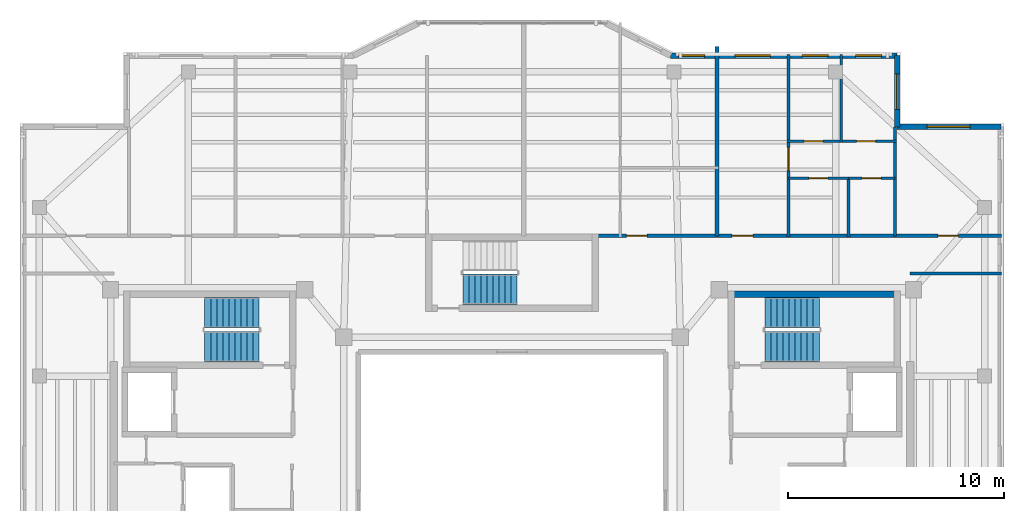
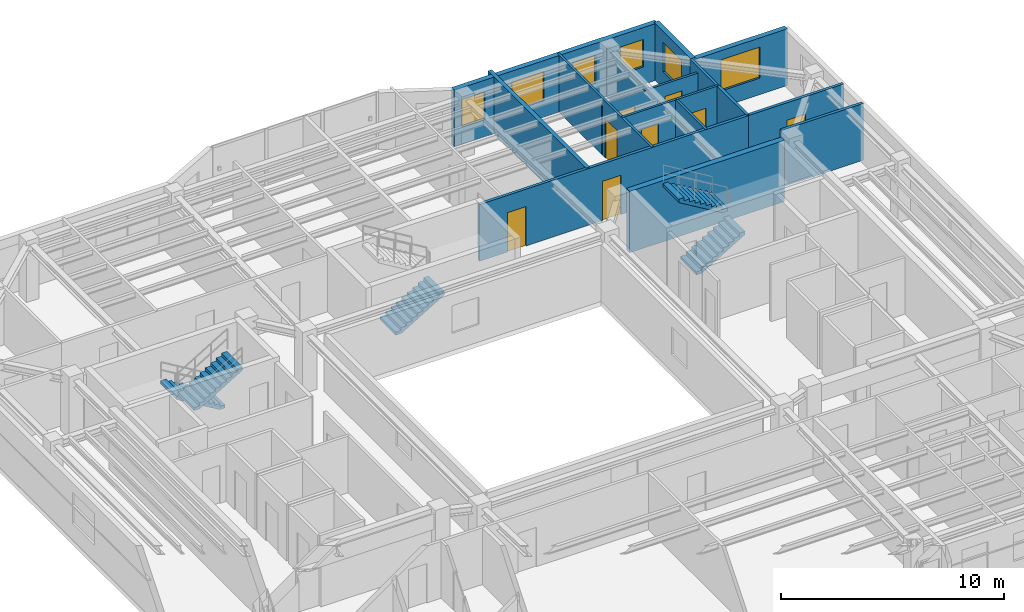
# One storey, part 10 of 14: 15 walls, 8 doors, 6 windows, 5 stair flights, 14 openings, 3 elements without a shape of their own.
"""IFC4 building model written with IfcOpenShell, lengths in metres."""

from ifc_helpers import new_model, si_unit, direction, frame, frame_2d, origin, place, context, subcontext, project, spatial, polyline, rectangle, outline, extrude, material, layer, layer_set, type_object, element, fill, aggregate, save


model = new_model("IFC4")

# Units and contexts
model_context = context("Model", 3, precision=1e-05, world=origin(), true_north=direction((0.0, 1.0)))
body_context = subcontext(model_context, "Body", "Model", "MODEL_VIEW")
ifc_project = project(units=[si_unit("LENGTHUNIT", "METRE"), si_unit("AREAUNIT", "SQUARE_METRE"), si_unit("VOLUMEUNIT", "CUBIC_METRE"), si_unit("PLANEANGLEUNIT", "RADIAN"), si_unit("MASSUNIT", "GRAM", prefix="KILO")], contexts=[model_context])

# Site, building, storey
site_placement = place(None, origin())
site = spatial("IfcSite", under=ifc_project, at=site_placement, CompositionType="ELEMENT")
building_placement = place(site_placement, origin())
building = spatial("IfcBuilding", under=site, at=building_placement, Name="Tarnavaz Court Tower", CompositionType="ELEMENT")
storey_placement = place(building_placement, frame((0.0, 0.0, 258.25)))
storey = spatial("IfcBuildingStorey", under=building, at=storey_placement, Name="L70", CompositionType="ELEMENT", Elevation=258.25)

# Wall
ifc_material_1 = material(Name="Concrete C50/60", Category="concrete")
ifc_layer_1 = layer(ifc_material_1, 0.300048828125)
ifc_layer_set_1 = layer_set([ifc_layer_1], Name="Concrete C50/60")
wall_type_1 = type_object("IfcWallType", Name="WL-CORE-300-C50", PredefinedType="SHEAR", material=ifc_layer_set_1)
wall_1_placement = place(storey_placement, frame((10.0, 9.7900390625, 0.0), z_axis=(0.0, 0.0, 1.0), x_axis=(1.0, 0.0, 0.0)))
element("IfcWall", 1, at=wall_1_placement, inside=storey, type_object=wall_type_1, Name="L70 East Stair Core Wall 005", PredefinedType="SHEAR", context=body_context, shape_type="SweptSolid", body=[
    extrude(rectangle(XDim=8.0, YDim=0.300048828125, at=frame_2d((4.0, 0.0))), origin(), (0.0, 0.0, 1.0), 3.35009765625),
])

# Wall, openings, windows
ifc_material_2 = material(Name="Precast Concrete C40/50", Category="concrete")
ifc_layer_2 = layer(ifc_material_2, 0.260009765625)
ifc_layer_set_2 = layer_set([ifc_layer_2], Name="Precast Concrete C40/50")
wall_type_2 = type_object("IfcWallType", Name="WL-EXT-260", PredefinedType="SOLIDWALL", material=ifc_layer_set_2)
wall_2_placement = place(storey_placement, frame((7.35009765625, 20.85009765625, 0.0), z_axis=(0.0, 0.0, 1.0), x_axis=(1.0, 0.0, 0.0)))
wall_2 = element("IfcWall", 2, at=wall_2_placement, inside=storey, type_object=wall_type_2, Name="L70 Exterior Terracotta Facade Wall 09", PredefinedType="SOLIDWALL", context=body_context, shape_type="SweptSolid", body=[
    extrude(rectangle(XDim=10.5, YDim=0.260009765625, at=frame_2d((5.25, 0.0))), origin(), (0.0, 0.0, 1.0), 3.10009765625),
])
opening_1_placement = place(wall_2_placement, frame((0.375, 0.0, 0.949951171875)))
opening_1 = element("IfcOpeningElement", 3, at=opening_1_placement, cuts=wall_2, Name="Opening W05", PredefinedType="OPENING", context=body_context, shape_type="SweptSolid", body=[
    extrude(rectangle(XDim=1.199951171875, YDim=1.5, at=frame_2d((0.60009765625, 0.75))), frame((0.0, 0.139892578125, 0.0), z_axis=(0.0, -1.0, 0.0), x_axis=(1.0, 0.0, 0.0)), (0.0, 0.0, 1.0), 0.280029296875),
])
opening_2_placement = place(wall_2_placement, frame((2.97509765625, 0.0, 0.89990234375)))
opening_2 = element("IfcOpeningElement", 4, at=opening_2_placement, cuts=wall_2, Name="Opening W02", PredefinedType="OPENING", context=body_context, shape_type="SweptSolid", body=[
    extrude(rectangle(XDim=1.64990234375, YDim=1.60009765625, at=frame_2d((0.824951171875, 0.800048828125))), frame((0.0, 0.139892578125, 0.0), z_axis=(0.0, -1.0, 0.0), x_axis=(1.0, 0.0, 0.0)), (0.0, 0.0, 1.0), 0.280029296875),
])
opening_3_placement = place(wall_2_placement, frame((6.10009765625, 0.0, 0.949951171875)))
opening_3 = element("IfcOpeningElement", 5, at=opening_3_placement, cuts=wall_2, Name="Opening W05", PredefinedType="OPENING", context=body_context, shape_type="SweptSolid", body=[
    extrude(rectangle(XDim=1.199951171875, YDim=1.5, at=frame_2d((0.60009765625, 0.75))), frame((0.0, 0.139892578125, 0.0), z_axis=(0.0, -1.0, 0.0), x_axis=(1.0, 0.0, 0.0)), (0.0, 0.0, 1.0), 0.280029296875),
])
opening_4_placement = place(wall_2_placement, frame((8.574951171875, 0.0, 0.949951171875)))
opening_4 = element("IfcOpeningElement", 6, at=opening_4_placement, cuts=wall_2, Name="Opening W05", PredefinedType="OPENING", context=body_context, shape_type="SweptSolid", body=[
    extrude(rectangle(XDim=1.199951171875, YDim=1.5, at=frame_2d((0.60009765625, 0.75))), frame((0.0, 0.139892578125, 0.0), z_axis=(0.0, -1.0, 0.0), x_axis=(1.0, 0.0, 0.0)), (0.0, 0.0, 1.0), 0.280029296875),
])
ifc_material_3 = material(Name="Double-Glazed Solar Low-E Glass", Category="glass")
window_type_1 = type_object("IfcWindowType", Name="WN-APT-1200", PartitioningType="SINGLE_PANEL", PredefinedType="WINDOW", material=ifc_material_3)
window_1_placement = place(opening_1_placement, origin())
window_1 = element("IfcWindow", 7, at=window_1_placement, inside=storey, type_object=window_type_1, Name="L70 Flat 01 Kitchen Window", OverallHeight=1.5, OverallWidth=1.199951171875, PartitioningType="SINGLE_PANEL", PredefinedType="WINDOW", context=body_context, shape_type="SweptSolid", body=[
    extrude(rectangle(XDim=1.199951171875, YDim=1.5, at=frame_2d((0.60009765625, 0.75))), frame((0.0, 0.030029296875, 0.0), z_axis=(0.0, -1.0, 0.0), x_axis=(1.0, 0.0, 0.0)), (0.0, 0.0, 1.0), 0.06005859375),
])
fill(opening_1, window_1)
window_2_placement = place(opening_3_placement, origin())
window_2 = element("IfcWindow", 8, at=window_2_placement, inside=storey, type_object=window_type_1, Name="L70 Flat 02 Principal Bedroom Window", OverallHeight=1.5, OverallWidth=1.199951171875, PartitioningType="SINGLE_PANEL", PredefinedType="WINDOW", context=body_context, shape_type="SweptSolid", body=[
    extrude(rectangle(XDim=1.199951171875, YDim=1.5, at=frame_2d((0.60009765625, 0.75))), frame((0.0, 0.030029296875, 0.0), z_axis=(0.0, -1.0, 0.0), x_axis=(1.0, 0.0, 0.0)), (0.0, 0.0, 1.0), 0.06005859375),
])
fill(opening_3, window_2)
window_3_placement = place(opening_4_placement, origin())
window_3 = element("IfcWindow", 9, at=window_3_placement, inside=storey, type_object=window_type_1, Name="L70 Flat 02 Bedroom 2 Window", OverallHeight=1.5, OverallWidth=1.199951171875, PartitioningType="SINGLE_PANEL", PredefinedType="WINDOW", context=body_context, shape_type="SweptSolid", body=[
    extrude(rectangle(XDim=1.199951171875, YDim=1.5, at=frame_2d((0.60009765625, 0.75))), frame((0.0, 0.030029296875, 0.0), z_axis=(0.0, -1.0, 0.0), x_axis=(1.0, 0.0, 0.0)), (0.0, 0.0, 1.0), 0.06005859375),
])
fill(opening_4, window_3)
window_type_2 = type_object("IfcWindowType", Name="WN-APT-1650", PartitioningType="DOUBLE_PANEL_VERTICAL", PredefinedType="WINDOW", material=ifc_material_3)
window_4_placement = place(opening_2_placement, origin())
window_4 = element("IfcWindow", 10, at=window_4_placement, inside=storey, type_object=window_type_2, Name="L70 Flat 02 Living and Dining Room Window", OverallHeight=1.60009765625, OverallWidth=1.64990234375, PartitioningType="SINGLE_PANEL", PredefinedType="WINDOW", context=body_context, shape_type="SweptSolid", body=[
    extrude(rectangle(XDim=1.64990234375, YDim=1.60009765625, at=frame_2d((0.824951171875, 0.800048828125))), frame((0.0, 0.030029296875, 0.0), z_axis=(0.0, -1.0, 0.0), x_axis=(1.0, 0.0, 0.0)), (0.0, 0.0, 1.0), 0.06005859375),
])
fill(opening_2, window_4)

# Wall, opening, window
wall_3_placement = place(storey_placement, frame((17.85009765625, 20.85009765625, 0.0), z_axis=(0.0, 0.0, 1.0), x_axis=(0.0, -1.0, 0.0)))
wall_3 = element("IfcWall", 11, at=wall_3_placement, inside=storey, type_object=wall_type_2, Name="L70 Exterior Terracotta Facade Wall 10", PredefinedType="SOLIDWALL", context=body_context, shape_type="SweptSolid", body=[
    extrude(rectangle(XDim=3.300048828125, YDim=0.260009765625, at=frame_2d((1.64990234375, 0.0))), origin(), (0.0, 0.0, 1.0), 3.10009765625),
])
opening_5_placement = place(wall_3_placement, frame((0.842529296875, 0.0, 0.89990234375)))
opening_5 = element("IfcOpeningElement", 12, at=opening_5_placement, cuts=wall_3, Name="Opening W02", PredefinedType="OPENING", context=body_context, shape_type="SweptSolid", body=[
    extrude(rectangle(XDim=1.64990234375, YDim=1.60009765625, at=frame_2d((0.824951171875, 0.800048828125))), frame((0.0, 0.139892578125, 0.0), z_axis=(0.0, -1.0, 0.0), x_axis=(1.0, 0.0, 0.0)), (0.0, 0.0, 1.0), 0.280029296875),
])
window_5_placement = place(opening_5_placement, origin())
window_5 = element("IfcWindow", 13, at=window_5_placement, inside=storey, type_object=window_type_2, Name="L70 Flat 02 Bedroom 2 Window", OverallHeight=1.60009765625, OverallWidth=1.64990234375, PartitioningType="SINGLE_PANEL", PredefinedType="WINDOW", context=body_context, shape_type="SweptSolid", body=[
    extrude(rectangle(XDim=1.64990234375, YDim=1.60009765625, at=frame_2d((0.824951171875, 0.800048828125))), frame((0.0, 0.030029296875, 0.0), z_axis=(0.0, -1.0, 0.0), x_axis=(1.0, 0.0, 0.0)), (0.0, 0.0, 1.0), 0.06005859375),
])
fill(opening_5, window_5)

wall_4_placement = place(storey_placement, frame((17.85009765625, 17.550048828125, 0.0), z_axis=(0.0, 0.0, 1.0), x_axis=(1.0, 0.0, 0.0)))
wall_4 = element("IfcWall", 14, at=wall_4_placement, inside=storey, type_object=wall_type_2, Name="L70 Exterior Terracotta Facade Wall 11", PredefinedType="SOLIDWALL", context=body_context, shape_type="SweptSolid", body=[
    extrude(rectangle(XDim=4.7998046875, YDim=0.260009765625, at=frame_2d((2.39990234375, 0.0))), origin(), (0.0, 0.0, 1.0), 3.10009765625),
])
opening_6_placement = place(wall_4_placement, frame((1.374755859375, 0.0, 0.89990234375)))
opening_6 = element("IfcOpeningElement", 15, at=opening_6_placement, cuts=wall_4, Name="Opening W08", PredefinedType="OPENING", context=body_context, shape_type="SweptSolid", body=[
    extrude(rectangle(XDim=2.0, YDim=1.699951171875, at=frame_2d((1.0, 0.85009765625))), frame((0.0, 0.139892578125, 0.0), z_axis=(0.0, -1.0, 0.0), x_axis=(1.0, 0.0, 0.0)), (0.0, 0.0, 1.0), 0.280029296875),
])
window_type_3 = type_object("IfcWindowType", Name="WN-APT-2000", PartitioningType="DOUBLE_PANEL_VERTICAL", PredefinedType="WINDOW", material=ifc_material_3)
window_6_placement = place(opening_6_placement, origin())
window_6 = element("IfcWindow", 16, at=window_6_placement, inside=storey, type_object=window_type_3, Name="L70 North-East Corner Sunroom Study Window", OverallHeight=1.699951171875, OverallWidth=2.0, PartitioningType="SINGLE_PANEL", PredefinedType="WINDOW", context=body_context, shape_type="SweptSolid", body=[
    extrude(rectangle(XDim=2.0, YDim=1.699951171875, at=frame_2d((1.0, 0.85009765625))), frame((0.0, 0.030029296875, 0.0), z_axis=(0.0, -1.0, 0.0), x_axis=(1.0, 0.0, 0.0)), (0.0, 0.0, 1.0), 0.06005859375),
])
fill(opening_6, window_6)

# Wall, openings, doors
ifc_material_4 = material(Name="Gypsum Fire-Board on Acoustic Metal Stud", Category="masonry")
ifc_layer_3 = layer(ifc_material_4, 0.14990234375)
ifc_layer_set_3 = layer_set([ifc_layer_3], Name="Gypsum Fire-Board on Acoustic Metal Stud")
wall_type_3 = type_object("IfcWallType", Name="WL-FIRE-150", PredefinedType="PARTITIONING", material=ifc_layer_set_3)
wall_5_placement = place(storey_placement, frame((3.85009765625, 12.5, 0.0), z_axis=(0.0, 0.0, 1.0), x_axis=(1.0, 0.0, 0.0)))
wall_5 = element("IfcWall", 17, at=wall_5_placement, inside=storey, type_object=wall_type_3, Name="L70 NE Wing Corridor Wall 058", PredefinedType="PARTITIONING", context=body_context, shape_type="SweptSolid", body=[
    extrude(rectangle(XDim=13.89990234375, YDim=0.14990234375, at=frame_2d((6.949951171875, 0.0))), origin(), (0.0, 0.0, 1.0), 3.10009765625),
])
opening_7_placement = place(wall_5_placement, frame((1.449951171875, 0.0, 0.0)))
opening_7 = element("IfcOpeningElement", 18, at=opening_7_placement, cuts=wall_5, Name="Opening D06", PredefinedType="OPENING", context=body_context, shape_type="SweptSolid", body=[
    extrude(rectangle(XDim=0.9599609375, YDim=2.14990234375, at=frame_2d((0.47998046875, 1.074951171875))), frame((0.0, 0.0849609375, 0.0), z_axis=(0.0, -1.0, 0.0), x_axis=(1.0, 0.0, 0.0)), (0.0, 0.0, 1.0), 0.169921875),
])
opening_8_placement = place(wall_5_placement, frame((6.35009765625, 0.0, 0.0)))
opening_8 = element("IfcOpeningElement", 19, at=opening_8_placement, cuts=wall_5, Name="Opening D06", PredefinedType="OPENING", context=body_context, shape_type="SweptSolid", body=[
    extrude(rectangle(XDim=0.9599609375, YDim=2.14990234375, at=frame_2d((0.47998046875, 1.074951171875))), frame((0.0, 0.0849609375, 0.0), z_axis=(0.0, -1.0, 0.0), x_axis=(1.0, 0.0, 0.0)), (0.0, 0.0, 1.0), 0.169921875),
])
ifc_material_5 = material(Name="Fire-Rated Hardwood Timber Core", Category="wood")
door_type_1 = type_object("IfcDoorType", Name="DR-FD60-950", OperationType="NOTDEFINED", PredefinedType="DOOR", material=ifc_material_5)
door_1_placement = place(opening_7_placement, origin())
door_1 = element("IfcDoor", 20, at=door_1_placement, inside=storey, type_object=door_type_1, Name="L70 Flat 01 Entrance Door", OperationType="SINGLE_SWING_LEFT", OverallHeight=2.14990234375, OverallWidth=0.9599609375, PredefinedType="DOOR", context=body_context, shape_type="SweptSolid", body=[
    extrude(rectangle(XDim=0.9599609375, YDim=2.14990234375, at=frame_2d((0.47998046875, 1.074951171875))), frame((0.0, 0.02490234375, 0.0), z_axis=(0.0, -1.0, 0.0), x_axis=(1.0, 0.0, 0.0)), (0.0, 0.0, 1.0), 0.050048828125),
])
fill(opening_7, door_1)
door_2_placement = place(opening_8_placement, origin())
door_2 = element("IfcDoor", 21, at=door_2_placement, inside=storey, type_object=door_type_1, Name="L70 Flat 02 Entrance Door", OperationType="SINGLE_SWING_RIGHT", OverallHeight=2.14990234375, OverallWidth=0.9599609375, PredefinedType="DOOR", context=body_context, shape_type="SweptSolid", body=[
    extrude(rectangle(XDim=0.9599609375, YDim=2.14990234375, at=frame_2d((0.47998046875, 1.074951171875))), frame((0.0, 0.02490234375, 0.0), z_axis=(0.0, -1.0, 0.0), x_axis=(1.0, 0.0, 0.0)), (0.0, 0.0, 1.0), 0.050048828125),
])
fill(opening_8, door_2)

# Wall
wall_6_placement = place(storey_placement, frame((18.449951171875, 10.75, 0.0), z_axis=(0.0, 0.0, 1.0), x_axis=(1.0, 0.0, 0.0)))
element("IfcWall", 22, at=wall_6_placement, inside=storey, type_object=wall_type_3, Name="L70 Interior Partition 096", PredefinedType="PARTITIONING", context=body_context, shape_type="SweptSolid", body=[
    extrude(rectangle(XDim=4.22998046875, YDim=0.14990234375, at=frame_2d((2.114990234375, 0.0))), origin(), (0.0, 0.0, 1.0), 3.10009765625),
])

# Wall, opening, door
wall_7_placement = place(storey_placement, frame((17.75, 12.5, 0.0), z_axis=(0.0, 0.0, 1.0), x_axis=(1.0, 0.0, 0.0)))
wall_7 = element("IfcWall", 23, at=wall_7_placement, inside=storey, type_object=wall_type_3, Name="L70 Interior Partition 102", PredefinedType="PARTITIONING", context=body_context, shape_type="SweptSolid", body=[
    extrude(rectangle(XDim=4.929931640625, YDim=0.14990234375, at=frame_2d((2.46484375, 0.0))), origin(), (0.0, 0.0, 1.0), 3.10009765625),
])
opening_9_placement = place(wall_7_placement, frame((1.989990234375, 0.0, 0.0)))
opening_9 = element("IfcOpeningElement", 24, at=opening_9_placement, cuts=wall_7, Name="Opening D13", PredefinedType="OPENING", context=body_context, shape_type="SweptSolid", body=[
    extrude(rectangle(XDim=0.949951171875, YDim=2.14990234375, at=frame_2d((0.47509765625, 1.074951171875))), frame((0.0, 0.0849609375, 0.0), z_axis=(0.0, -1.0, 0.0), x_axis=(1.0, 0.0, 0.0)), (0.0, 0.0, 1.0), 0.169921875),
])
ifc_material_6 = material(Name="Engineered Oak Timber", Category="wood")
door_type_2 = type_object("IfcDoorType", Name="DR-INT-950", OperationType="NOTDEFINED", PredefinedType="DOOR", material=ifc_material_6)
door_3_placement = place(opening_9_placement, origin())
door_3 = element("IfcDoor", 25, at=door_3_placement, inside=storey, type_object=door_type_2, Name="L70 NE Sunroom Door", OperationType="SINGLE_SWING_RIGHT", OverallHeight=2.14990234375, OverallWidth=0.949951171875, PredefinedType="DOOR", context=body_context, shape_type="SweptSolid", body=[
    extrude(rectangle(XDim=0.949951171875, YDim=2.14990234375, at=frame_2d((0.47509765625, 1.074951171875))), frame((0.0, 0.02490234375, 0.0), z_axis=(0.0, -1.0, 0.0), x_axis=(1.0, 0.0, 0.0)), (0.0, 0.0, 1.0), 0.050048828125),
])
fill(opening_9, door_3)

# Wall
ifc_material_7 = material(Name="Autoclaved Aerated Concrete Blockwork", Category="masonry")
ifc_layer_4 = layer(ifc_material_7, 0.199951171875)
ifc_layer_set_4 = layer_set([ifc_layer_4], Name="Autoclaved Aerated Concrete Blockwork")
wall_type_4 = type_object("IfcWallType", Name="WL-FIRE-200", PredefinedType="SOLIDWALL", material=ifc_layer_set_4)
wall_8_placement = place(storey_placement, frame((9.5, 12.5, 0.0), z_axis=(0.0, 0.0, 1.0), x_axis=(0.0, 1.0, 0.0)))
element("IfcWall", 26, at=wall_8_placement, inside=storey, type_object=wall_type_4, Name="L70 Party Wall 065", PredefinedType="SOLIDWALL", context=body_context, shape_type="SweptSolid", body=[
    extrude(rectangle(XDim=8.77001953125, YDim=0.199951171875, at=frame_2d((4.385009765625, 0.0))), origin(), (0.0, 0.0, 1.0), 3.10009765625),
])

# Wall, opening, door
ifc_material_8 = material(Name="Moisture-Resistant Gypsum Board Partition", Category="masonry")
ifc_layer_5 = layer(ifc_material_8, 0.1201171875)
ifc_layer_set_5 = layer_set([ifc_layer_5], Name="Moisture-Resistant Gypsum Board Partition")
wall_type_5 = type_object("IfcWallType", Name="WL-PART-120", PredefinedType="PARTITIONING", material=ifc_layer_set_5)
wall_9_placement = place(storey_placement, frame((12.81201171875, 12.43994140625, 0.0), z_axis=(0.0, 0.0, 1.0), x_axis=(0.0, 1.0, 0.0)))
wall_9 = element("IfcWall", 27, at=wall_9_placement, inside=storey, type_object=wall_type_5, Name="L70 Interior Partition 069", PredefinedType="PARTITIONING", context=body_context, shape_type="SweptSolid", body=[
    extrude(rectangle(XDim=8.4599609375, YDim=0.1201171875, at=frame_2d((4.22998046875, 0.0))), origin(), (0.0, 0.0, 1.0), 3.10009765625),
])
opening_10_placement = place(wall_9_placement, frame((3.074951171875, 0.0, 0.0)))
opening_10 = element("IfcOpeningElement", 28, at=opening_10_placement, cuts=wall_9, Name="Opening D12", PredefinedType="OPENING", context=body_context, shape_type="SweptSolid", body=[
    extrude(rectangle(XDim=1.080078125, YDim=2.14990234375, at=frame_2d((0.5400390625, 1.074951171875))), frame((0.0, 0.070068359375, 0.0), z_axis=(0.0, -1.0, 0.0), x_axis=(1.0, 0.0, 0.0)), (0.0, 0.0, 1.0), 0.14013671875),
])
door_type_3 = type_object("IfcDoorType", Name="DR-INT-1100", OperationType="NOTDEFINED", PredefinedType="DOOR", material=ifc_material_6)
door_4_placement = place(opening_10_placement, origin())
door_4 = element("IfcDoor", 29, at=door_4_placement, inside=storey, type_object=door_type_3, Name="L70 Flat 02 Foyer Door", OperationType="SINGLE_SWING_LEFT", OverallHeight=2.14990234375, OverallWidth=1.080078125, PredefinedType="DOOR", context=body_context, shape_type="SweptSolid", body=[
    extrude(rectangle(XDim=1.080078125, YDim=2.14990234375, at=frame_2d((0.5400390625, 1.074951171875))), frame((0.0, 0.02490234375, 0.0), z_axis=(0.0, -1.0, 0.0), x_axis=(1.0, 0.0, 0.0)), (0.0, 0.0, 1.0), 0.050048828125),
])
fill(opening_10, door_4)

wall_10_placement = place(storey_placement, frame((12.81201171875, 15.169921875, 0.0), z_axis=(0.0, 0.0, 1.0), x_axis=(1.0, 0.0, 0.0)))
wall_10 = element("IfcWall", 30, at=wall_10_placement, inside=storey, type_object=wall_type_5, Name="L70 Interior Partition 070", PredefinedType="PARTITIONING", context=body_context, shape_type="SweptSolid", body=[
    extrude(rectangle(XDim=2.780029296875, YDim=0.1201171875, at=frame_2d((1.39013671875, 0.0))), origin(), (0.0, 0.0, 1.0), 3.10009765625),
])
opening_11_placement = place(wall_10_placement, frame((0.949951171875, 0.0, 0.0)))
opening_11 = element("IfcOpeningElement", 31, at=opening_11_placement, cuts=wall_10, Name="Opening D14", PredefinedType="OPENING", context=body_context, shape_type="SweptSolid", body=[
    extrude(rectangle(XDim=0.8798828125, YDim=2.10009765625, at=frame_2d((0.43994140625, 1.050048828125))), frame((0.0, 0.070068359375, 0.0), z_axis=(0.0, -1.0, 0.0), x_axis=(1.0, 0.0, 0.0)), (0.0, 0.0, 1.0), 0.14013671875),
])
door_type_4 = type_object("IfcDoorType", Name="DR-INT-900", OperationType="NOTDEFINED", PredefinedType="DOOR", material=ifc_material_6)
door_5_placement = place(opening_11_placement, origin())
door_5 = element("IfcDoor", 32, at=door_5_placement, inside=storey, type_object=door_type_4, Name="L70 Flat 02 Kitchen Door", OperationType="SINGLE_SWING_RIGHT", OverallHeight=2.10009765625, OverallWidth=0.8798828125, PredefinedType="DOOR", context=body_context, shape_type="SweptSolid", body=[
    extrude(rectangle(XDim=0.8798828125, YDim=2.10009765625, at=frame_2d((0.43994140625, 1.050048828125))), frame((0.0, 0.02490234375, 0.0), z_axis=(0.0, -1.0, 0.0), x_axis=(1.0, 0.0, 0.0)), (0.0, 0.0, 1.0), 0.050048828125),
])
fill(opening_11, door_5)

wall_11_placement = place(storey_placement, frame((15.592041015625, 15.169921875, 0.0), z_axis=(0.0, 0.0, 1.0), x_axis=(1.0, 0.0, 0.0)))
wall_11 = element("IfcWall", 33, at=wall_11_placement, inside=storey, type_object=wall_type_5, Name="L70 Interior Partition 071", PredefinedType="PARTITIONING", context=body_context, shape_type="SweptSolid", body=[
    extrude(rectangle(XDim=2.157958984375, YDim=0.1201171875, at=frame_2d((1.0791015625, 0.0))), origin(), (0.0, 0.0, 1.0), 3.10009765625),
])
opening_12_placement = place(wall_11_placement, frame((0.638916015625, 0.0, 0.0)))
opening_12 = element("IfcOpeningElement", 34, at=opening_12_placement, cuts=wall_11, Name="Opening D14", PredefinedType="OPENING", context=body_context, shape_type="SweptSolid", body=[
    extrude(rectangle(XDim=0.8798828125, YDim=2.10009765625, at=frame_2d((0.43994140625, 1.050048828125))), frame((0.0, 0.070068359375, 0.0), z_axis=(0.0, -1.0, 0.0), x_axis=(1.0, 0.0, 0.0)), (0.0, 0.0, 1.0), 0.14013671875),
])
door_6_placement = place(opening_12_placement, origin())
door_6 = element("IfcDoor", 35, at=door_6_placement, inside=storey, type_object=door_type_4, Name="L70 Flat 02 Bathroom Door", OperationType="SINGLE_SWING_LEFT", OverallHeight=2.10009765625, OverallWidth=0.8798828125, PredefinedType="DOOR", context=body_context, shape_type="SweptSolid", body=[
    extrude(rectangle(XDim=0.8798828125, YDim=2.10009765625, at=frame_2d((0.43994140625, 1.050048828125))), frame((0.0, 0.02490234375, 0.0), z_axis=(0.0, -1.0, 0.0), x_axis=(1.0, 0.0, 0.0)), (0.0, 0.0, 1.0), 0.050048828125),
])
fill(opening_12, door_6)

# Wall, openings, doors
wall_12_placement = place(storey_placement, frame((12.751953125, 16.8798828125, 0.0), z_axis=(0.0, 0.0, 1.0), x_axis=(1.0, 0.0, 0.0)))
wall_12 = element("IfcWall", 36, at=wall_12_placement, inside=storey, type_object=wall_type_5, Name="L70 Interior Partition 072", PredefinedType="PARTITIONING", context=body_context, shape_type="SweptSolid", body=[
    extrude(rectangle(XDim=5.05810546875, YDim=0.1201171875, at=frame_2d((2.529052734375, 0.0))), origin(), (0.0, 0.0, 1.0), 2.784912109375),
])
opening_13_placement = place(wall_12_placement, frame((0.780029296875, 0.0, 0.0)))
opening_13 = element("IfcOpeningElement", 37, at=opening_13_placement, cuts=wall_12, Name="Opening D14", PredefinedType="OPENING", context=body_context, shape_type="SweptSolid", body=[
    extrude(rectangle(XDim=0.8798828125, YDim=2.10009765625, at=frame_2d((0.43994140625, 1.050048828125))), frame((0.0, 0.070068359375, 0.0), z_axis=(0.0, -1.0, 0.0), x_axis=(1.0, 0.0, 0.0)), (0.0, 0.0, 1.0), 0.14013671875),
])
opening_14_placement = place(wall_12_placement, frame((3.218994140625, 0.0, 0.0)))
opening_14 = element("IfcOpeningElement", 38, at=opening_14_placement, cuts=wall_12, Name="Opening D14", PredefinedType="OPENING", context=body_context, shape_type="SweptSolid", body=[
    extrude(rectangle(XDim=0.8798828125, YDim=2.10009765625, at=frame_2d((0.43994140625, 1.050048828125))), frame((0.0, 0.070068359375, 0.0), z_axis=(0.0, -1.0, 0.0), x_axis=(1.0, 0.0, 0.0)), (0.0, 0.0, 1.0), 0.14013671875),
])
door_7_placement = place(opening_13_placement, origin())
door_7 = element("IfcDoor", 39, at=door_7_placement, inside=storey, type_object=door_type_4, Name="L70 Flat 02 Bedroom 1 Door", OperationType="SINGLE_SWING_RIGHT", OverallHeight=2.10009765625, OverallWidth=0.8798828125, PredefinedType="DOOR", context=body_context, shape_type="SweptSolid", body=[
    extrude(rectangle(XDim=0.8798828125, YDim=2.10009765625, at=frame_2d((0.43994140625, 1.050048828125))), frame((0.0, 0.02490234375, 0.0), z_axis=(0.0, -1.0, 0.0), x_axis=(1.0, 0.0, 0.0)), (0.0, 0.0, 1.0), 0.050048828125),
])
fill(opening_13, door_7)
door_8_placement = place(opening_14_placement, origin())
door_8 = element("IfcDoor", 40, at=door_8_placement, inside=storey, type_object=door_type_4, Name="L70 Flat 02 Bedroom 2 Door", OperationType="SINGLE_SWING_LEFT", OverallHeight=2.10009765625, OverallWidth=0.8798828125, PredefinedType="DOOR", context=body_context, shape_type="SweptSolid", body=[
    extrude(rectangle(XDim=0.8798828125, YDim=2.10009765625, at=frame_2d((0.43994140625, 1.050048828125))), frame((0.0, 0.02490234375, 0.0), z_axis=(0.0, -1.0, 0.0), x_axis=(1.0, 0.0, 0.0)), (0.0, 0.0, 1.0), 0.050048828125),
])
fill(opening_14, door_8)

# Walls
wall_13_placement = place(storey_placement, frame((15.592041015625, 12.43994140625, 0.0), z_axis=(0.0, 0.0, 1.0), x_axis=(0.0, 1.0, 0.0)))
element("IfcWall", 41, at=wall_13_placement, inside=storey, type_object=wall_type_5, Name="L70 Interior Partition 073", PredefinedType="PARTITIONING", context=body_context, shape_type="SweptSolid", body=[
    extrude(rectangle(XDim=2.7900390625, YDim=0.1201171875, at=frame_2d((1.39501953125, 0.0))), origin(), (0.0, 0.0, 1.0), 3.10009765625),
])
wall_14_placement = place(storey_placement, frame((15.2509765625, 16.820068359375, 0.0), z_axis=(0.0, 0.0, 1.0), x_axis=(0.0, 1.0, 0.0)))
element("IfcWall", 42, at=wall_14_placement, inside=storey, type_object=wall_type_5, Name="L70 Interior Partition 074", PredefinedType="PARTITIONING", context=body_context, shape_type="SweptSolid", body=[
    extrude(rectangle(XDim=4.079833984375, YDim=0.1201171875, at=frame_2d((2.0400390625, 0.0))), origin(), (0.0, 0.0, 1.0), 2.68505859375),
])
ifc_material_9 = material(Name="Gypsum Plasterboard Acoustic Partition", Category="masonry")
ifc_layer_6 = layer(ifc_material_9, 0.139892578125)
ifc_layer_set_6 = layer_set([ifc_layer_6], Name="Gypsum Plasterboard Acoustic Partition")
wall_type_6 = type_object("IfcWallType", Name="WL-PART-150", PredefinedType="PARTITIONING", material=ifc_layer_set_6)
wall_15_placement = place(storey_placement, frame((17.75, 12.5, 0.0), z_axis=(0.0, 0.0, 1.0), x_axis=(0.0, 1.0, 0.0)))
element("IfcWall", 43, at=wall_15_placement, inside=storey, type_object=wall_type_6, Name="L70 Interior Partition 100", PredefinedType="PARTITIONING", context=body_context, shape_type="SweptSolid", body=[
    extrude(rectangle(XDim=5.050048828125, YDim=0.139892578125, at=frame_2d((2.52490234375, 0.0))), origin(), (0.0, 0.0, 1.0), 3.10009765625),
])

# Stair, stair flights
ifc_material_10 = material(Name="Concrete C40/50", Category="concrete")
stair_type = type_object("IfcStairType", Name="ST-TWR-20R", PredefinedType="HALF_TURN_STAIR", material=ifc_material_10)
stair_1_placement = place(storey_placement, origin())
stair_1 = element("IfcStair", 44, at=stair_1_placement, inside=storey, type_object=stair_type, Name="L70 West Core Pressurized Exit Stair ST-W1", PredefinedType="HALF_TURN_STAIR")
stair_flight_type = type_object("IfcStairFlightType", Name="SFL-RC-20R", PredefinedType="STRAIGHT", material=ifc_material_10)
stair_flight_1_placement = place(storey_placement, frame((-11.719970703125, 8.929931640625, 0.0), z_axis=(0.0, 0.0, 1.0), x_axis=(-1.0, 0.0, 0.0)))
stair_flight_1 = element("IfcStairFlight", 45, at=stair_flight_1_placement, type_object=stair_flight_type, Name="ST-W1 flight 1", NumberOfRisers=10, NumberOfTreads=9, PredefinedType="STRAIGHT", RiserHeight=0.1675, TreadLength=0.28, context=body_context, shape_type="SweptSolid", body=[
    extrude(outline(polyline([(0.0, 0.0), (0.0, 0.16748046875), (0.280029296875, 0.16748046875), (0.280029296875, 0.3349609375), (0.56005859375, 0.3349609375), (0.56005859375, 0.50244140625), (0.840087890625, 0.50244140625), (0.840087890625, 0.669921875), (1.1201171875, 0.669921875), (1.1201171875, 0.83740234375), (1.39990234375, 0.83740234375), (1.39990234375, 1.0048828125), (1.679931640625, 1.0048828125), (1.679931640625, 1.172607421875), (1.9599609375, 1.172607421875), (1.9599609375, 1.340087890625), (2.239990234375, 1.340087890625), (2.239990234375, 1.507568359375), (2.52001953125, 1.507568359375), (2.52001953125, 1.675048828125), (2.52001953125, 1.332763671875), (0.2919921875, 0.0), (0.0, 0.0)])), frame((0.0, 0.7099609375, 0.0), z_axis=(0.0, -1.0, 0.0), x_axis=(1.0, 0.0, 0.0)), (0.0, 0.0, 1.0), 1.419921875),
])
stair_flight_2_placement = place(storey_placement, frame((-14.239990234375, 7.360107421875, 1.675048828125), z_axis=(0.0, 0.0, 1.0), x_axis=(1.0, 0.0, 0.0)))
stair_flight_2 = element("IfcStairFlight", 46, at=stair_flight_2_placement, type_object=stair_flight_type, Name="ST-W1 flight 2", NumberOfRisers=10, NumberOfTreads=9, PredefinedType="STRAIGHT", RiserHeight=0.1675, TreadLength=0.28, context=body_context, shape_type="SweptSolid", body=[
    extrude(outline(polyline([(0.0, 0.0), (0.0, 0.16748046875), (0.280029296875, 0.16748046875), (0.280029296875, 0.3349609375), (0.56005859375, 0.3349609375), (0.56005859375, 0.50244140625), (0.840087890625, 0.50244140625), (0.840087890625, 0.669921875), (1.1201171875, 0.669921875), (1.1201171875, 0.83740234375), (1.39990234375, 0.83740234375), (1.39990234375, 1.0048828125), (1.679931640625, 1.0048828125), (1.679931640625, 1.172607421875), (1.9599609375, 1.172607421875), (1.9599609375, 1.340087890625), (2.239990234375, 1.340087890625), (2.239990234375, 1.507568359375), (2.52001953125, 1.507568359375), (2.52001953125, 1.675048828125), (2.52001953125, 1.332763671875), (0.2919921875, 0.0), (0.0, 0.0)])), frame((0.0, 0.7099609375, 0.0), z_axis=(0.0, -1.0, 0.0), x_axis=(1.0, 0.0, 0.0)), (0.0, 0.0, 1.0), 1.419921875),
])
aggregate(stair_1, [stair_flight_1, stair_flight_2])

stair_2_placement = place(storey_placement, origin())
stair_2 = element("IfcStair", 47, at=stair_2_placement, inside=storey, type_object=stair_type, Name="L70 East Core Pressurized Exit Stair ST-E1", PredefinedType="HALF_TURN_STAIR")
stair_flight_3_placement = place(storey_placement, frame((11.719970703125, 7.360107421875, 0.0), z_axis=(0.0, 0.0, 1.0), x_axis=(1.0, 0.0, 0.0)))
stair_flight_3 = element("IfcStairFlight", 48, at=stair_flight_3_placement, type_object=stair_flight_type, Name="ST-E1 flight 1", NumberOfRisers=10, NumberOfTreads=9, PredefinedType="STRAIGHT", RiserHeight=0.1675, TreadLength=0.28, context=body_context, shape_type="SweptSolid", body=[
    extrude(outline(polyline([(0.0, 0.0), (0.0, 0.16748046875), (0.280029296875, 0.16748046875), (0.280029296875, 0.3349609375), (0.56005859375, 0.3349609375), (0.56005859375, 0.50244140625), (0.840087890625, 0.50244140625), (0.840087890625, 0.669921875), (1.1201171875, 0.669921875), (1.1201171875, 0.83740234375), (1.39990234375, 0.83740234375), (1.39990234375, 1.0048828125), (1.679931640625, 1.0048828125), (1.679931640625, 1.172607421875), (1.9599609375, 1.172607421875), (1.9599609375, 1.340087890625), (2.239990234375, 1.340087890625), (2.239990234375, 1.507568359375), (2.52001953125, 1.507568359375), (2.52001953125, 1.675048828125), (2.52001953125, 1.332763671875), (0.2919921875, 0.0), (0.0, 0.0)])), frame((0.0, 0.7099609375, 0.0), z_axis=(0.0, -1.0, 0.0), x_axis=(1.0, 0.0, 0.0)), (0.0, 0.0, 1.0), 1.419921875),
])
stair_flight_4_placement = place(storey_placement, frame((14.239990234375, 8.929931640625, 1.675048828125), z_axis=(0.0, 0.0, 1.0), x_axis=(-1.0, 0.0, 0.0)))
stair_flight_4 = element("IfcStairFlight", 49, at=stair_flight_4_placement, type_object=stair_flight_type, Name="ST-E1 flight 2", NumberOfRisers=10, NumberOfTreads=9, PredefinedType="STRAIGHT", RiserHeight=0.1675, TreadLength=0.28, context=body_context, shape_type="SweptSolid", body=[
    extrude(outline(polyline([(0.0, 0.0), (0.0, 0.16748046875), (0.280029296875, 0.16748046875), (0.280029296875, 0.3349609375), (0.56005859375, 0.3349609375), (0.56005859375, 0.50244140625), (0.840087890625, 0.50244140625), (0.840087890625, 0.669921875), (1.1201171875, 0.669921875), (1.1201171875, 0.83740234375), (1.39990234375, 0.83740234375), (1.39990234375, 1.0048828125), (1.679931640625, 1.0048828125), (1.679931640625, 1.172607421875), (1.9599609375, 1.172607421875), (1.9599609375, 1.340087890625), (2.239990234375, 1.340087890625), (2.239990234375, 1.507568359375), (2.52001953125, 1.507568359375), (2.52001953125, 1.675048828125), (2.52001953125, 1.332763671875), (0.2919921875, 0.0), (0.0, 0.0)])), frame((0.0, 0.7099609375, 0.0), z_axis=(0.0, -1.0, 0.0), x_axis=(1.0, 0.0, 0.0)), (0.0, 0.0, 1.0), 1.419921875),
])
aggregate(stair_2, [stair_flight_3, stair_flight_4])

# Stair, stair flight
stair_3_placement = place(storey_placement, origin())
stair_3 = element("IfcStair", 50, at=stair_3_placement, inside=storey, type_object=stair_type, Name="L70 North Ring Pressurized Exit Stair ST-N1", PredefinedType="HALF_TURN_STAIR")
stair_flight_5_placement = place(storey_placement, frame((-2.280029296875, 10.010009765625, 0.0), z_axis=(0.0, 0.0, 1.0), x_axis=(1.0, 0.0, 0.0)))
stair_flight_5 = element("IfcStairFlight", 51, at=stair_flight_5_placement, type_object=stair_flight_type, Name="ST-N1 flight 1", NumberOfRisers=10, NumberOfTreads=9, PredefinedType="STRAIGHT", RiserHeight=0.1675, TreadLength=0.28, context=body_context, shape_type="SweptSolid", body=[
    extrude(outline(polyline([(0.0, 0.0), (0.0, 0.16748046875), (0.280029296875, 0.16748046875), (0.280029296875, 0.3349609375), (0.56005859375, 0.3349609375), (0.56005859375, 0.50244140625), (0.840087890625, 0.50244140625), (0.840087890625, 0.669921875), (1.1201171875, 0.669921875), (1.1201171875, 0.83740234375), (1.39990234375, 0.83740234375), (1.39990234375, 1.0048828125), (1.679931640625, 1.0048828125), (1.679931640625, 1.172607421875), (1.9599609375, 1.172607421875), (1.9599609375, 1.340087890625), (2.239990234375, 1.340087890625), (2.239990234375, 1.507568359375), (2.52001953125, 1.507568359375), (2.52001953125, 1.675048828125), (2.52001953125, 1.332763671875), (0.2919921875, 0.0), (0.0, 0.0)])), frame((0.0, 0.7099609375, 0.0), z_axis=(0.0, -1.0, 0.0), x_axis=(1.0, 0.0, 0.0)), (0.0, 0.0, 1.0), 1.419921875),
])
aggregate(stair_3, [stair_flight_5])

save(model, "model.ifc")
